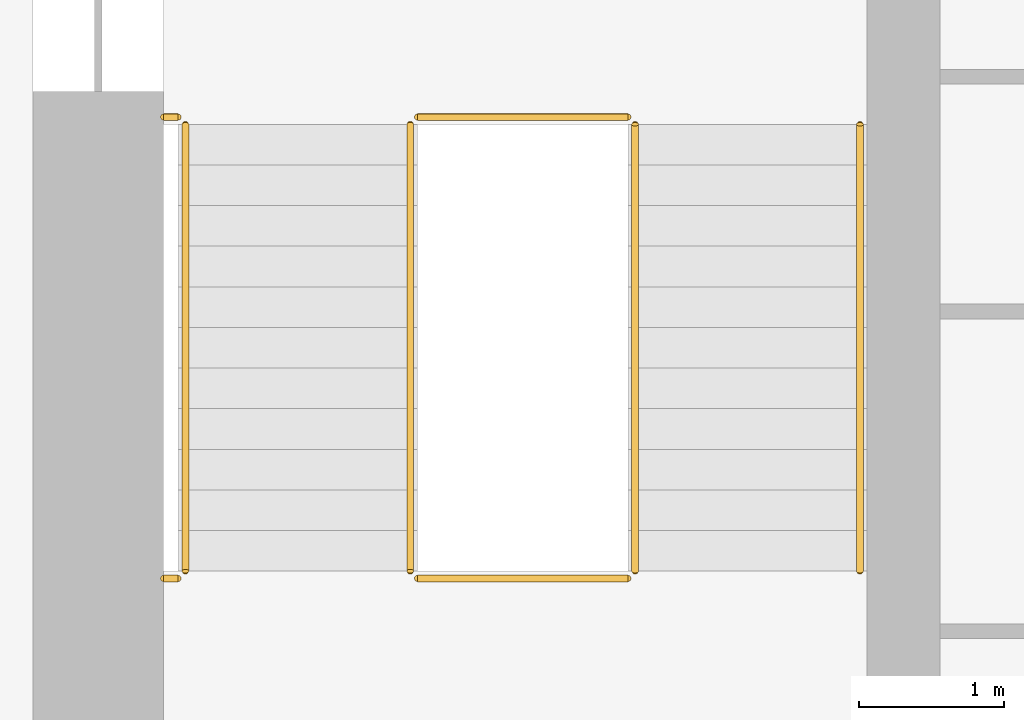
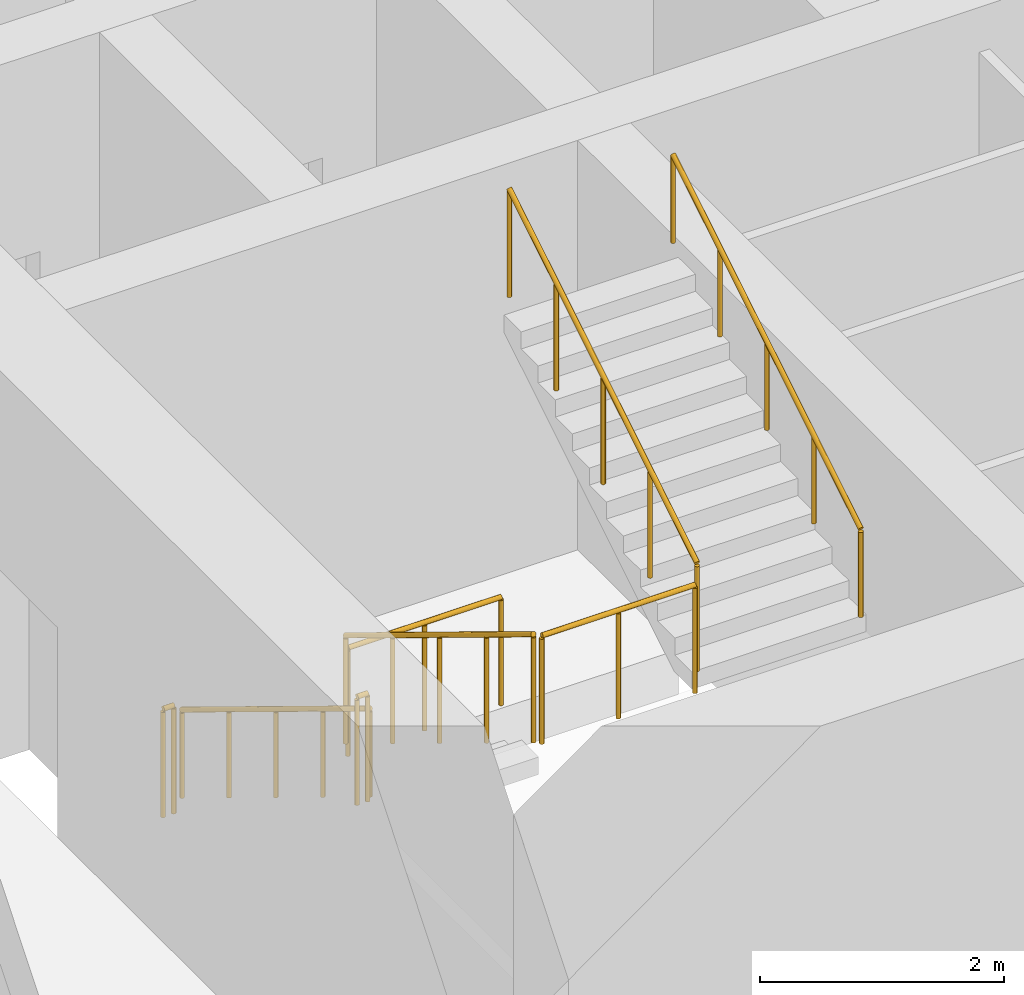
# One storey, part 11 of 19: 8 railings.
"""IFC4 building model written with IfcOpenShell, lengths in metres."""

from ifc_helpers import new_model, si_unit, direction, frame, origin, origin_2d, place, context, subcontext, project, spatial, circle, extrude, material, type_object, element, save


model = new_model("IFC4")

# Units and contexts
model_context = context("Model", 3, precision=1e-05, world=origin(), true_north=direction((0.0, 1.0)))
body_context = subcontext(model_context, "Body", "Model", "MODEL_VIEW")
ifc_project = project(units=[si_unit("LENGTHUNIT", "METRE"), si_unit("AREAUNIT", "SQUARE_METRE"), si_unit("VOLUMEUNIT", "CUBIC_METRE"), si_unit("PLANEANGLEUNIT", "RADIAN"), si_unit("MASSUNIT", "GRAM", prefix="KILO")], contexts=[model_context])

# Site, building, storey
site_placement = place(None, origin())
site = spatial("IfcSite", under=ifc_project, at=site_placement, CompositionType="ELEMENT")
building_placement = place(site_placement, origin())
building = spatial("IfcBuilding", under=site, at=building_placement, Name="Corbel Stack Research Tower", CompositionType="ELEMENT")
storey_placement = place(building_placement, frame((0.0, 0.0, 133.10009765625)))
storey = spatial("IfcBuildingStorey", under=building, at=storey_placement, Name="L30", CompositionType="ELEMENT", Elevation=133.10009765625)

# Railings
ifc_material_1 = material(Name="Steel S355", Category="steel")
railing_type_1 = type_object("IfcRailingType", Name="Stair guard 1100", PredefinedType="GUARDRAIL", material=ifc_material_1)
railing_1_placement = place(storey_placement, frame((-7.89990234375, -2.39990234375, 0.170654296875)))
element("IfcRailing", 1, at=railing_1_placement, inside=storey, type_object=railing_type_1, Name="L30 ST-W1 stair guard 1", PredefinedType="GUARDRAIL", context=body_context, shape_type="SweptSolid", body=[
    extrude(circle(Radius=0.02392578125, at=origin_2d()), frame((0.0, 0.0, 1.076171875), z_axis=(0.0, -0.853666305674, 0.52082035152), x_axis=(1.0, 0.0, 0.0)), (0.0, 0.0, 1.0), 3.608154296875),
    extrude(circle(Radius=0.02099609375, at=origin_2d()), origin(), (0.0, 0.0, 1.0), 1.052001953125),
    extrude(circle(Radius=0.02099609375, at=origin_2d()), frame((0.0, -0.77001953125, 0.4697265625)), (0.0, 0.0, 1.0), 1.052001953125),
    extrude(circle(Radius=0.02099609375, at=origin_2d()), frame((0.0, -1.5400390625, 0.939453125)), (0.0, 0.0, 1.0), 1.052001953125),
    extrude(circle(Radius=0.02099609375, at=origin_2d()), frame((0.0, -2.31005859375, 1.409423828125)), (0.0, 0.0, 1.0), 1.052001953125),
    extrude(circle(Radius=0.02099609375, at=origin_2d()), frame((0.0, -3.080078125, 1.879150390625)), (0.0, 0.0, 1.0), 1.052001953125),
])
railing_2_placement = place(storey_placement, frame((-7.85009765625, -5.530029296875, 2.0498046875)))
element("IfcRailing", 2, at=railing_2_placement, inside=storey, type_object=railing_type_1, Name="L30 ST-W1 stair guard 2", PredefinedType="GUARDRAIL", context=body_context, shape_type="SweptSolid", body=[
    extrude(circle(Radius=0.02392578125, at=origin_2d()), frame((0.0, 0.0, 1.076171875), z_axis=(1.0, 0.0, 0.0), x_axis=(0.0, 1.0, 0.0)), (0.0, 0.0, 1.0), 1.4501953125),
    extrude(circle(Radius=0.02099609375, at=origin_2d()), origin(), (0.0, 0.0, 1.0), 1.052001953125),
    extrude(circle(Radius=0.02099609375, at=origin_2d()), frame((0.72509765625, 0.0, 0.0)), (0.0, 0.0, 1.0), 1.052001953125),
    extrude(circle(Radius=0.02099609375, at=origin_2d()), frame((1.4501953125, 0.0, 0.0)), (0.0, 0.0, 1.0), 1.052001953125),
])
railing_3_placement = place(storey_placement, frame((-9.60009765625, -5.530029296875, 2.0498046875)))
element("IfcRailing", 3, at=railing_3_placement, inside=storey, type_object=railing_type_1, Name="L30 ST-W1 stair guard 3", PredefinedType="GUARDRAIL", context=body_context, shape_type="SweptSolid", body=[
    extrude(circle(Radius=0.02392578125, at=origin_2d()), frame((0.0, 0.0, 1.076171875), z_axis=(1.0, 0.0, 0.0), x_axis=(0.0, 1.0, 0.0)), (0.0, 0.0, 1.0), 0.10009765625),
    extrude(circle(Radius=0.02099609375, at=origin_2d()), origin(), (0.0, 0.0, 1.0), 1.052001953125),
    extrude(circle(Radius=0.02099609375, at=origin_2d()), frame((0.10009765625, 0.0, 0.0)), (0.0, 0.0, 1.0), 1.052001953125),
])
railing_4_placement = place(storey_placement, frame((-6.35009765625, -5.47998046875, 2.220703125)))
element("IfcRailing", 4, at=railing_4_placement, inside=storey, type_object=railing_type_1, Name="L30 ST-W1 stair guard 4", PredefinedType="GUARDRAIL", context=body_context, shape_type="SweptSolid", body=[
    extrude(circle(Radius=0.02392578125, at=origin_2d()), frame((0.0, 0.0, 1.076171875), z_axis=(0.0, 0.853666305674, 0.52082035152), x_axis=(-1.0, 0.0, 0.0)), (0.0, 0.0, 1.0), 3.608154296875),
    extrude(circle(Radius=0.02099609375, at=origin_2d()), origin(), (0.0, 0.0, 1.0), 1.052001953125),
    extrude(circle(Radius=0.02099609375, at=origin_2d()), frame((0.0, 0.77001953125, 0.4697265625)), (0.0, 0.0, 1.0), 1.052001953125),
    extrude(circle(Radius=0.02099609375, at=origin_2d()), frame((0.0, 1.5400390625, 0.939453125)), (0.0, 0.0, 1.0), 1.052001953125),
    extrude(circle(Radius=0.02099609375, at=origin_2d()), frame((0.0, 2.31005859375, 1.409423828125)), (0.0, 0.0, 1.0), 1.052001953125),
    extrude(circle(Radius=0.02099609375, at=origin_2d()), frame((0.0, 3.080078125, 1.879150390625)), (0.0, 0.0, 1.0), 1.052001953125),
])
railing_5_placement = place(storey_placement, frame((-7.85009765625, -2.35009765625, 0.0)))
element("IfcRailing", 5, at=railing_5_placement, inside=storey, type_object=railing_type_1, Name="L30 ST-W1 stair guard 5", PredefinedType="GUARDRAIL", context=body_context, shape_type="SweptSolid", body=[
    extrude(circle(Radius=0.02392578125, at=origin_2d()), frame((0.0, 0.0, 1.076171875), z_axis=(1.0, 0.0, 0.0), x_axis=(0.0, 1.0, 0.0)), (0.0, 0.0, 1.0), 1.4501953125),
    extrude(circle(Radius=0.02099609375, at=origin_2d()), origin(), (0.0, 0.0, 1.0), 1.052001953125),
    extrude(circle(Radius=0.02099609375, at=origin_2d()), frame((0.72509765625, 0.0, 0.0)), (0.0, 0.0, 1.0), 1.052001953125),
    extrude(circle(Radius=0.02099609375, at=origin_2d()), frame((1.4501953125, 0.0, 0.0)), (0.0, 0.0, 1.0), 1.052001953125),
])
railing_6_placement = place(storey_placement, frame((-9.60009765625, -2.35009765625, 0.0)))
element("IfcRailing", 6, at=railing_6_placement, inside=storey, type_object=railing_type_1, Name="L30 ST-W1 stair guard 6", PredefinedType="GUARDRAIL", context=body_context, shape_type="SweptSolid", body=[
    extrude(circle(Radius=0.02392578125, at=origin_2d()), frame((0.0, 0.0, 1.076171875), z_axis=(1.0, 0.0, 0.0), x_axis=(0.0, 1.0, 0.0)), (0.0, 0.0, 1.0), 0.10009765625),
    extrude(circle(Radius=0.02099609375, at=origin_2d()), origin(), (0.0, 0.0, 1.0), 1.052001953125),
    extrude(circle(Radius=0.02099609375, at=origin_2d()), frame((0.10009765625, 0.0, 0.0)), (0.0, 0.0, 1.0), 1.052001953125),
])
ifc_material_2 = material(Name="Steel S355", Category="steel")
railing_type_2 = type_object("IfcRailingType", Name="Stair handrail 900", PredefinedType="HANDRAIL", material=ifc_material_2)
railing_7_placement = place(storey_placement, frame((-9.449951171875, -2.39990234375, 0.170654296875)))
element("IfcRailing", 7, at=railing_7_placement, inside=storey, type_object=railing_type_2, Name="L30 ST-W1 stair handrail 1", PredefinedType="HANDRAIL", context=body_context, shape_type="SweptSolid", body=[
    extrude(circle(Radius=0.02392578125, at=origin_2d()), frame((0.0, 0.0, 0.8759765625), z_axis=(0.0, -0.853666305674, 0.52082035152), x_axis=(1.0, 0.0, 0.0)), (0.0, 0.0, 1.0), 3.608154296875),
    extrude(circle(Radius=0.02099609375, at=origin_2d()), origin(), (0.0, 0.0, 1.0), 0.851806640625),
    extrude(circle(Radius=0.02099609375, at=origin_2d()), frame((0.0, -0.77001953125, 0.4697265625)), (0.0, 0.0, 1.0), 0.851806640625),
    extrude(circle(Radius=0.02099609375, at=origin_2d()), frame((0.0, -1.5400390625, 0.939453125)), (0.0, 0.0, 1.0), 0.851806640625),
    extrude(circle(Radius=0.02099609375, at=origin_2d()), frame((0.0, -2.31005859375, 1.409423828125)), (0.0, 0.0, 1.0), 0.851806640625),
    extrude(circle(Radius=0.02099609375, at=origin_2d()), frame((0.0, -3.080078125, 1.879150390625)), (0.0, 0.0, 1.0), 0.851806640625),
])
railing_8_placement = place(storey_placement, frame((-4.800048828125, -5.47998046875, 2.220703125)))
element("IfcRailing", 8, at=railing_8_placement, inside=storey, type_object=railing_type_2, Name="L30 ST-W1 stair handrail 2", PredefinedType="HANDRAIL", context=body_context, shape_type="SweptSolid", body=[
    extrude(circle(Radius=0.02392578125, at=origin_2d()), frame((0.0, 0.0, 0.8759765625), z_axis=(0.0, 0.853666305674, 0.52082035152), x_axis=(-1.0, 0.0, 0.0)), (0.0, 0.0, 1.0), 3.608154296875),
    extrude(circle(Radius=0.02099609375, at=origin_2d()), origin(), (0.0, 0.0, 1.0), 0.851806640625),
    extrude(circle(Radius=0.02099609375, at=origin_2d()), frame((0.0, 0.77001953125, 0.4697265625)), (0.0, 0.0, 1.0), 0.851806640625),
    extrude(circle(Radius=0.02099609375, at=origin_2d()), frame((0.0, 1.5400390625, 0.939453125)), (0.0, 0.0, 1.0), 0.851806640625),
    extrude(circle(Radius=0.02099609375, at=origin_2d()), frame((0.0, 2.31005859375, 1.409423828125)), (0.0, 0.0, 1.0), 0.851806640625),
    extrude(circle(Radius=0.02099609375, at=origin_2d()), frame((0.0, 3.080078125, 1.879150390625)), (0.0, 0.0, 1.0), 0.851806640625),
])

save(model, "model.ifc")
